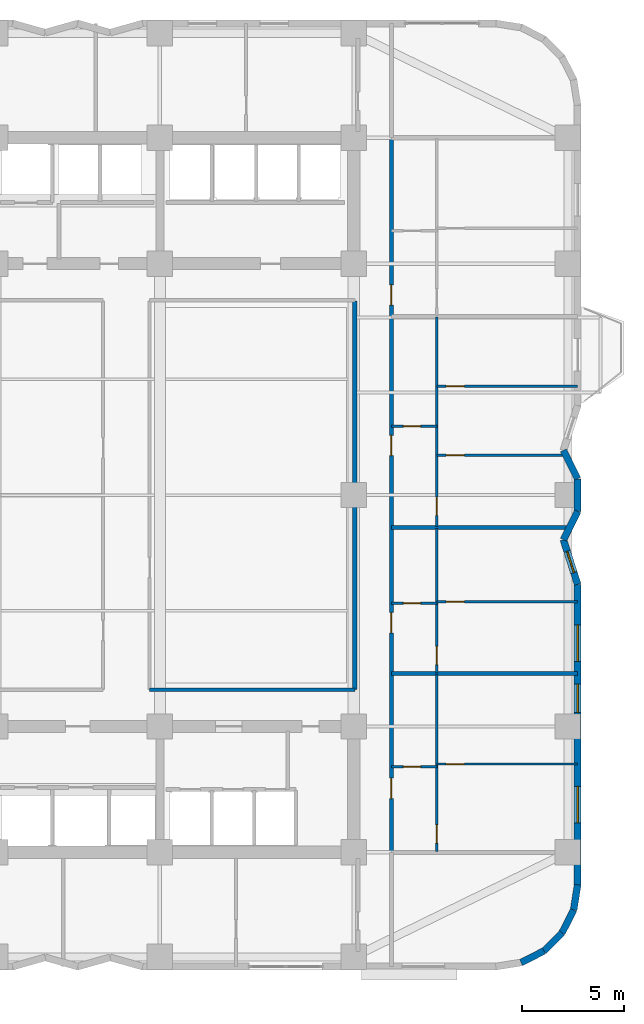
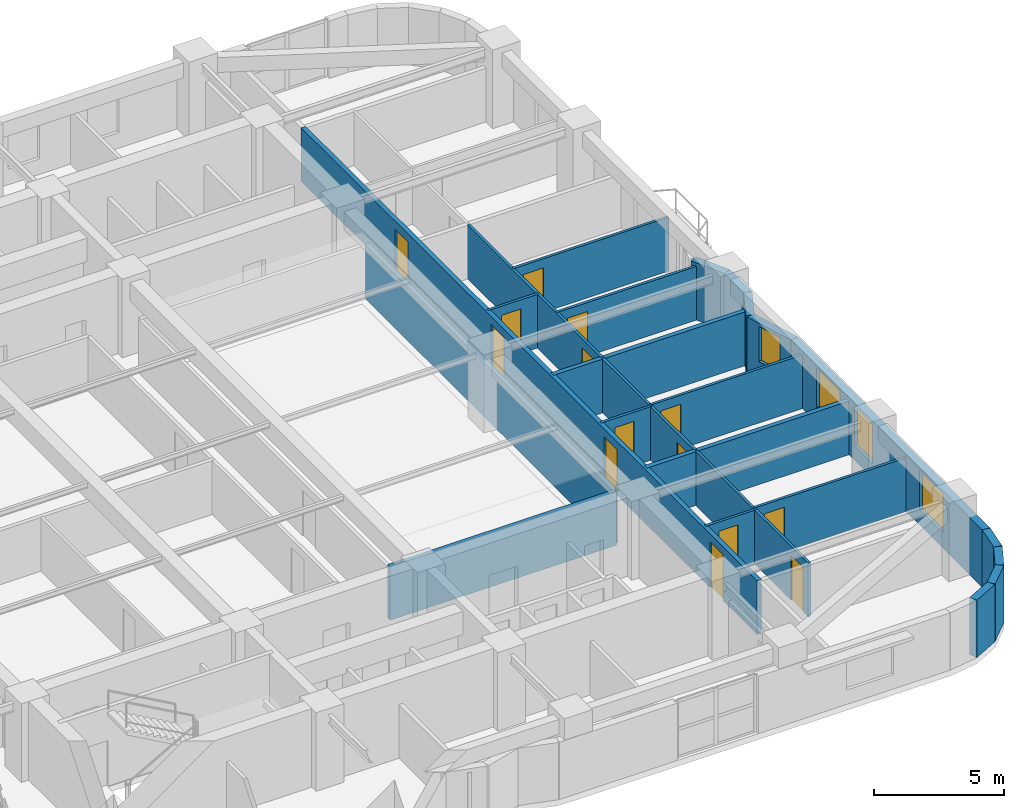
# One storey, part 8 of 13: 24 walls, 14 doors, 4 windows, 18 openings.
"""IFC4 building model written with IfcOpenShell, lengths in metres."""

from ifc_helpers import new_model, si_unit, direction, frame, frame_2d, origin, place, context, subcontext, project, spatial, rectangle, extrude, material, layer, layer_set, type_object, element, fill, save


model = new_model("IFC4")

# Units and contexts
model_context = context("Model", 3, precision=1e-05, world=origin(), true_north=direction((0.0, 1.0)))
body_context = subcontext(model_context, "Body", "Model", "MODEL_VIEW")
ifc_project = project(units=[si_unit("LENGTHUNIT", "METRE"), si_unit("AREAUNIT", "SQUARE_METRE"), si_unit("VOLUMEUNIT", "CUBIC_METRE"), si_unit("PLANEANGLEUNIT", "RADIAN"), si_unit("MASSUNIT", "GRAM", prefix="KILO")], contexts=[model_context])

# Site, building, storey
site_placement = place(None, origin())
site = spatial("IfcSite", under=ifc_project, at=site_placement, CompositionType="ELEMENT")
building_placement = place(site_placement, origin())
building = spatial("IfcBuilding", under=site, at=building_placement, Name="Svetorya Sky Lyceum", CompositionType="ELEMENT")
storey_placement = place(building_placement, frame((0.0, 0.0, 58.39990234375)))
storey = spatial("IfcBuildingStorey", under=building, at=storey_placement, Name="L14", CompositionType="ELEMENT", Elevation=58.39990234375)

# Walls
ifc_material_1 = material(Name="Putilovo limestone rainscreen on autoclaved cellular masonry", Category="masonry")
ifc_layer_1 = layer(ifc_material_1, 0.340087890625)
ifc_layer_set_1 = layer_set([ifc_layer_1], Name="Putilovo limestone rainscreen on autoclaved cellular masonry")
wall_type_1 = type_object("IfcWallType", Name="WL-EXT-340", PredefinedType="SOLIDWALL", material=ifc_layer_set_1)
for number, where, z_axis, x_axis, name in (
    (1, (61.04541015625, 5.167236328125, 0.0), (0.0, 0.0, 1.0), (0.890953769915, 0.454094020963, 0.0), "L14 Limestone Exterior Wall 13M"),
    (2, (62.168701171875, 5.73974609375, 0.0), (0.0, 0.0, 1.0), (0.707203598708, 0.707009950407, 0.0), "L14 Limestone Exterior Wall 14M"),
):
    element("IfcWall", number, at=place(storey_placement, frame(where, z_axis=z_axis, x_axis=x_axis)), inside=storey, type_object=wall_type_1, Name=name, PredefinedType="SOLIDWALL", context=body_context, shape_type="SweptSolid", body=[
        extrude(rectangle(XDim=1.2607421875, YDim=0.340087890625, at=frame_2d((0.63037109375, 0.0))), origin(), (0.0, 0.0, 1.0), 2.7001953125),
    ])
for number, where, z_axis, x_axis, name in (
    (3, (63.060302734375, 6.631103515625, 0.0), (0.0, 0.0, 1.0), (0.454015689056, 0.890993689142, 0.0), "L14 Limestone Exterior Wall 15M"),
    (4, (63.6328125, 7.754638671875, 0.0), (0.0, 0.0, 1.0), (0.15644975923, 0.987685918112, 0.0), "L14 Limestone Exterior Wall 16M"),
):
    element("IfcWall", number, at=place(storey_placement, frame(where, z_axis=z_axis, x_axis=x_axis)), inside=storey, type_object=wall_type_1, Name=name, PredefinedType="SOLIDWALL", context=body_context, shape_type="SweptSolid", body=[
        extrude(rectangle(XDim=1.260986328125, YDim=0.340087890625, at=frame_2d((0.63037109375, 0.0))), origin(), (0.0, 0.0, 1.0), 2.7001953125),
    ])

# Wall, openings, windows
wall_1_placement = place(storey_placement, frame((63.830078125, 9.0, 0.0), z_axis=(0.0, 0.0, 1.0), x_axis=(0.0, 1.0, 0.0)))
wall_1 = element("IfcWall", 5, at=wall_1_placement, inside=storey, type_object=wall_type_1, Name="L14 Limestone Exterior Wall 17M", PredefinedType="SOLIDWALL", context=body_context, shape_type="SweptSolid", body=[
    extrude(rectangle(XDim=14.800048828125, YDim=0.340087890625, at=frame_2d((7.39990234375, 0.0))), origin(), (0.0, 0.0, 1.0), 2.7001953125),
])
opening_1_placement = place(wall_1_placement, frame((3.050048828125, 0.0, 0.72998046875)))
opening_1 = element("IfcOpeningElement", 6, at=opening_1_placement, cuts=wall_1, Name="Opening W-R1", PredefinedType="OPENING", context=body_context, shape_type="SweptSolid", body=[
    extrude(rectangle(XDim=1.800048828125, YDim=1.85009765625, at=frame_2d((0.89990234375, 0.925048828125))), frame((0.0, 0.179931640625, 0.0), z_axis=(0.0, -1.0, 0.0), x_axis=(1.0, 0.0, 0.0)), (0.0, 0.0, 1.0), 0.360107421875),
])
opening_2_placement = place(wall_1_placement, frame((8.47998046875, 0.0, 0.68994140625)))
opening_2 = element("IfcOpeningElement", 7, at=opening_2_placement, cuts=wall_1, Name="Opening W-R2", PredefinedType="OPENING", context=body_context, shape_type="SweptSolid", body=[
    extrude(rectangle(XDim=1.39990234375, YDim=1.85009765625, at=frame_2d((0.699951171875, 0.925048828125))), frame((0.0, 0.179931640625, 0.0), z_axis=(0.0, -1.0, 0.0), x_axis=(1.0, 0.0, 0.0)), (0.0, 0.0, 1.0), 0.360107421875),
])
opening_3_placement = place(wall_1_placement, frame((11.0, 0.0, 0.72998046875)))
opening_3 = element("IfcOpeningElement", 8, at=opening_3_placement, cuts=wall_1, Name="Opening W-R1", PredefinedType="OPENING", context=body_context, shape_type="SweptSolid", body=[
    extrude(rectangle(XDim=1.800048828125, YDim=1.85009765625, at=frame_2d((0.89990234375, 0.925048828125))), frame((0.0, 0.179931640625, 0.0), z_axis=(0.0, -1.0, 0.0), x_axis=(1.0, 0.0, 0.0)), (0.0, 0.0, 1.0), 0.360107421875),
])
ifc_material_2 = material(Name="Thermally broken aluminium frame with triple low-E glazing", Category="aluminium")
window_type_1 = type_object("IfcWindowType", Name="WN-RES-140", PartitioningType="SINGLE_PANEL", PredefinedType="WINDOW", material=ifc_material_2)
window_1_placement = place(opening_2_placement, origin())
window_1 = element("IfcWindow", 9, at=window_1_placement, inside=storey, type_object=window_type_1, Name="L14 Facade Window W-R2.17M.3", OverallHeight=1.85009765625, OverallWidth=1.39990234375, PartitioningType="SINGLE_PANEL", PredefinedType="WINDOW", context=body_context, shape_type="SweptSolid", body=[
    extrude(rectangle(XDim=1.39990234375, YDim=1.85009765625, at=frame_2d((0.699951171875, 0.925048828125))), frame((0.0, 0.030029296875, 0.0), z_axis=(0.0, -1.0, 0.0), x_axis=(1.0, 0.0, 0.0)), (0.0, 0.0, 1.0), 0.06005859375),
])
fill(opening_2, window_1)
window_type_2 = type_object("IfcWindowType", Name="WN-RES-180", PartitioningType="DOUBLE_PANEL_VERTICAL", PredefinedType="WINDOW", material=ifc_material_2)
window_2_placement = place(opening_1_placement, origin())
window_2 = element("IfcWindow", 10, at=window_2_placement, inside=storey, type_object=window_type_2, Name="L14 Facade Window W-R1.17M.1", OverallHeight=1.85009765625, OverallWidth=1.800048828125, PartitioningType="SINGLE_PANEL", PredefinedType="WINDOW", context=body_context, shape_type="SweptSolid", body=[
    extrude(rectangle(XDim=1.800048828125, YDim=1.85009765625, at=frame_2d((0.89990234375, 0.925048828125))), frame((0.0, 0.030029296875, 0.0), z_axis=(0.0, -1.0, 0.0), x_axis=(1.0, 0.0, 0.0)), (0.0, 0.0, 1.0), 0.06005859375),
])
fill(opening_1, window_2)
window_3_placement = place(opening_3_placement, origin())
window_3 = element("IfcWindow", 11, at=window_3_placement, inside=storey, type_object=window_type_2, Name="L14 Facade Window W-R1.17M.2", OverallHeight=1.85009765625, OverallWidth=1.800048828125, PartitioningType="SINGLE_PANEL", PredefinedType="WINDOW", context=body_context, shape_type="SweptSolid", body=[
    extrude(rectangle(XDim=1.800048828125, YDim=1.85009765625, at=frame_2d((0.89990234375, 0.925048828125))), frame((0.0, 0.030029296875, 0.0), z_axis=(0.0, -1.0, 0.0), x_axis=(1.0, 0.0, 0.0)), (0.0, 0.0, 1.0), 0.06005859375),
])
fill(opening_3, window_3)

# Wall, opening, window
wall_2_placement = place(storey_placement, frame((63.830078125, 23.800048828125, 0.0), z_axis=(0.0, 0.0, 1.0), x_axis=(-0.303286588318, 0.95289938889, 0.0)))
wall_2 = element("IfcWall", 12, at=wall_2_placement, inside=storey, type_object=wall_type_1, Name="L14 Limestone Exterior Wall 18M", PredefinedType="SOLIDWALL", context=body_context, shape_type="SweptSolid", body=[
    extrude(rectangle(XDim=2.30859375, YDim=0.340087890625, at=frame_2d((1.154296875, 0.0))), origin(), (0.0, 0.0, 1.0), 2.7001953125),
])
opening_4_placement = place(wall_2_placement, frame((0.604248046875, 0.0, 0.889892578125)))
opening_4 = element("IfcOpeningElement", 13, at=opening_4_placement, cuts=wall_2, Name="Opening W-R3", PredefinedType="OPENING", context=body_context, shape_type="SweptSolid", body=[
    extrude(rectangle(XDim=1.10009765625, YDim=1.64990234375, at=frame_2d((0.550048828125, 0.824951171875))), frame((0.0, 0.179931640625, 0.0), z_axis=(0.0, -1.0, 0.0), x_axis=(1.0, 0.0, 0.0)), (0.0, 0.0, 1.0), 0.360107421875),
])
window_type_3 = type_object("IfcWindowType", Name="WN-RES-110", PartitioningType="SINGLE_PANEL", PredefinedType="WINDOW", material=ifc_material_2)
window_4_placement = place(opening_4_placement, origin())
window_4 = element("IfcWindow", 14, at=window_4_placement, inside=storey, type_object=window_type_3, Name="L14 Facade Window W-R3.18M.1", OverallHeight=1.64990234375, OverallWidth=1.10009765625, PartitioningType="SINGLE_PANEL", PredefinedType="WINDOW", context=body_context, shape_type="SweptSolid", body=[
    extrude(rectangle(XDim=1.10009765625, YDim=1.64990234375, at=frame_2d((0.550048828125, 0.824951171875))), frame((0.0, 0.030029296875, 0.0), z_axis=(0.0, -1.0, 0.0), x_axis=(1.0, 0.0, 0.0)), (0.0, 0.0, 1.0), 0.06005859375),
])
fill(opening_4, window_4)

# Walls
wall_3_placement = place(storey_placement, frame((63.1298828125, 26.0, 0.0), z_axis=(0.0, 0.0, 1.0), x_axis=(0.447338371726, 0.894364792007, 0.0)))
element("IfcWall", 15, at=wall_3_placement, inside=storey, type_object=wall_type_1, Name="L14 Limestone Exterior Wall 19M", PredefinedType="SOLIDWALL", context=body_context, shape_type="SweptSolid", body=[
    extrude(rectangle(XDim=1.565185546875, YDim=0.340087890625, at=frame_2d((0.78271484375, 0.0))), origin(), (0.0, 0.0, 1.0), 2.7001953125),
])
wall_4_placement = place(storey_placement, frame((63.830078125, 27.39990234375, 0.0), z_axis=(0.0, 0.0, 1.0), x_axis=(0.0, 1.0, 0.0)))
element("IfcWall", 16, at=wall_4_placement, inside=storey, type_object=wall_type_1, Name="L14 Limestone Exterior Wall 20M", PredefinedType="SOLIDWALL", context=body_context, shape_type="SweptSolid", body=[
    extrude(rectangle(XDim=1.60009765625, YDim=0.340087890625, at=frame_2d((0.800048828125, 0.0))), origin(), (0.0, 0.0, 1.0), 2.7001953125),
])
wall_5_placement = place(storey_placement, frame((63.830078125, 29.0, 0.0), z_axis=(0.0, 0.0, 1.0), x_axis=(-0.447338371726, 0.894364792007, 0.0)))
element("IfcWall", 17, at=wall_5_placement, inside=storey, type_object=wall_type_1, Name="L14 Limestone Exterior Wall 21M", PredefinedType="SOLIDWALL", context=body_context, shape_type="SweptSolid", body=[
    extrude(rectangle(XDim=1.565185546875, YDim=0.340087890625, at=frame_2d((0.78271484375, 0.0))), origin(), (0.0, 0.0, 1.0), 2.7001953125),
])

# Wall, opening, door
ifc_material_3 = material(Name="Twin-stud galvanized framing with double fireboard", Category="gypsum")
ifc_layer_2 = layer(ifc_material_3, 0.1201171875)
ifc_layer_set_2 = layer_set([ifc_layer_2], Name="Twin-stud galvanized framing with double fireboard")
wall_type_2 = type_object("IfcWallType", Name="WL-PART-120", PredefinedType="PARTITIONING", material=ifc_layer_set_2)
wall_6_placement = place(storey_placement, frame((54.64990234375, 14.820068359375, 0.0), z_axis=(0.0, 0.0, 1.0), x_axis=(1.0, 0.0, 0.0)))
wall_6 = element("IfcWall", 18, at=wall_6_placement, inside=storey, type_object=wall_type_2, Name="L14 Interior Partition E1-WH1", PredefinedType="PARTITIONING", context=body_context, shape_type="SweptSolid", body=[
    extrude(rectangle(XDim=2.25, YDim=0.1201171875, at=frame_2d((1.125, 0.0))), origin(), (0.0, 0.0, 1.0), 2.530029296875),
])
opening_5_placement = place(wall_6_placement, frame((0.60009765625, 0.0, 0.0)))
opening_5 = element("IfcOpeningElement", 19, at=opening_5_placement, cuts=wall_6, Name="Opening D-BT1", PredefinedType="OPENING", context=body_context, shape_type="SweptSolid", body=[
    extrude(rectangle(XDim=0.85009765625, YDim=2.10009765625, at=frame_2d((0.425048828125, 1.050048828125))), frame((0.0, 0.070068359375, 0.0), z_axis=(0.0, -1.0, 0.0), x_axis=(1.0, 0.0, 0.0)), (0.0, 0.0, 1.0), 0.14013671875),
])
ifc_material_4 = material(Name="Moisture-resistant laminate bathroom door")
door_type_1 = type_object("IfcDoorType", Name="DR-WET-850", OperationType="SINGLE_SWING_LEFT", PredefinedType="DOOR", material=ifc_material_4)
door_1_placement = place(opening_5_placement, origin())
door_1 = element("IfcDoor", 20, at=door_1_placement, inside=storey, type_object=door_type_1, Name="Apartment E1 Bathroom Door", OperationType="SINGLE_SWING_RIGHT", OverallHeight=2.10009765625, OverallWidth=0.85009765625, PredefinedType="DOOR", context=body_context, shape_type="SweptSolid", body=[
    extrude(rectangle(XDim=0.85009765625, YDim=2.10009765625, at=frame_2d((0.425048828125, 1.050048828125))), frame((0.0, 0.02490234375, 0.0), z_axis=(0.0, -1.0, 0.0), x_axis=(1.0, 0.0, 0.0)), (0.0, 0.0, 1.0), 0.050048828125),
])
fill(opening_5, door_1)

wall_7_placement = place(storey_placement, frame((56.89990234375, 14.949951171875, 0.0), z_axis=(0.0, 0.0, 1.0), x_axis=(1.0, 0.0, 0.0)))
wall_7 = element("IfcWall", 21, at=wall_7_placement, inside=storey, type_object=wall_type_2, Name="L14 Interior Partition E1-WL1", PredefinedType="PARTITIONING", context=body_context, shape_type="SweptSolid", body=[
    extrude(rectangle(XDim=6.93017578125, YDim=0.1201171875, at=frame_2d((3.465087890625, 0.0))), origin(), (0.0, 0.0, 1.0), 2.530029296875),
])
opening_6_placement = place(wall_7_placement, frame((0.449951171875, 0.0, 0.0)))
opening_6 = element("IfcOpeningElement", 22, at=opening_6_placement, cuts=wall_7, Name="Opening D-RM1", PredefinedType="OPENING", context=body_context, shape_type="SweptSolid", body=[
    extrude(rectangle(XDim=0.89990234375, YDim=2.10009765625, at=frame_2d((0.449951171875, 1.050048828125))), frame((0.0, 0.070068359375, 0.0), z_axis=(0.0, -1.0, 0.0), x_axis=(1.0, 0.0, 0.0)), (0.0, 0.0, 1.0), 0.14013671875),
])
ifc_material_5 = material(Name="Lacquered birch veneer internal door")
door_type_2 = type_object("IfcDoorType", Name="DR-INT-900", OperationType="SINGLE_SWING_LEFT", PredefinedType="DOOR", material=ifc_material_5)
door_2_placement = place(opening_6_placement, origin())
door_2 = element("IfcDoor", 23, at=door_2_placement, inside=storey, type_object=door_type_2, Name="Apartment E1 Bedroom 1 Door", OperationType="SINGLE_SWING_RIGHT", OverallHeight=2.10009765625, OverallWidth=0.89990234375, PredefinedType="DOOR", context=body_context, shape_type="SweptSolid", body=[
    extrude(rectangle(XDim=0.89990234375, YDim=2.10009765625, at=frame_2d((0.449951171875, 1.050048828125))), frame((0.0, 0.02490234375, 0.0), z_axis=(0.0, -1.0, 0.0), x_axis=(1.0, 0.0, 0.0)), (0.0, 0.0, 1.0), 0.050048828125),
])
fill(opening_6, door_2)

wall_8_placement = place(storey_placement, frame((56.89990234375, 10.639892578125, 0.0), z_axis=(0.0, 0.0, 1.0), x_axis=(0.0, 1.0, 0.0)))
wall_8 = element("IfcWall", 24, at=wall_8_placement, inside=storey, type_object=wall_type_2, Name="L14 Interior Partition E1-WV", PredefinedType="PARTITIONING", context=body_context, shape_type="SweptSolid", body=[
    extrude(rectangle(XDim=8.72021484375, YDim=0.1201171875, at=frame_2d((4.360107421875, 0.0))), origin(), (0.0, 0.0, 1.0), 2.530029296875),
])
opening_7_placement = place(wall_8_placement, frame((0.409912109375, 0.0, 0.0)))
opening_7 = element("IfcOpeningElement", 25, at=opening_7_placement, cuts=wall_8, Name="Opening D-RM1", PredefinedType="OPENING", context=body_context, shape_type="SweptSolid", body=[
    extrude(rectangle(XDim=0.89990234375, YDim=2.10009765625, at=frame_2d((0.449951171875, 1.050048828125))), frame((0.0, 0.070068359375, 0.0), z_axis=(0.0, -1.0, 0.0), x_axis=(1.0, 0.0, 0.0)), (0.0, 0.0, 1.0), 0.14013671875),
])
door_3_placement = place(opening_7_placement, origin())
door_3 = element("IfcDoor", 26, at=door_3_placement, inside=storey, type_object=door_type_2, Name="Apartment E1 Living Door", OperationType="SINGLE_SWING_LEFT", OverallHeight=2.10009765625, OverallWidth=0.89990234375, PredefinedType="DOOR", context=body_context, shape_type="SweptSolid", body=[
    extrude(rectangle(XDim=0.89990234375, YDim=2.10009765625, at=frame_2d((0.449951171875, 1.050048828125))), frame((0.0, 0.02490234375, 0.0), z_axis=(0.0, -1.0, 0.0), x_axis=(1.0, 0.0, 0.0)), (0.0, 0.0, 1.0), 0.050048828125),
])
fill(opening_7, door_3)

wall_9_placement = place(storey_placement, frame((54.64990234375, 22.860107421875, 0.0), z_axis=(0.0, 0.0, 1.0), x_axis=(1.0, 0.0, 0.0)))
wall_9 = element("IfcWall", 27, at=wall_9_placement, inside=storey, type_object=wall_type_2, Name="L14 Interior Partition E2-WH1", PredefinedType="PARTITIONING", context=body_context, shape_type="SweptSolid", body=[
    extrude(rectangle(XDim=2.25, YDim=0.1201171875, at=frame_2d((1.125, 0.0))), origin(), (0.0, 0.0, 1.0), 2.530029296875),
])
opening_8_placement = place(wall_9_placement, frame((0.60009765625, 0.0, 0.0)))
opening_8 = element("IfcOpeningElement", 28, at=opening_8_placement, cuts=wall_9, Name="Opening D-BT1", PredefinedType="OPENING", context=body_context, shape_type="SweptSolid", body=[
    extrude(rectangle(XDim=0.85009765625, YDim=2.10009765625, at=frame_2d((0.425048828125, 1.050048828125))), frame((0.0, 0.070068359375, 0.0), z_axis=(0.0, -1.0, 0.0), x_axis=(1.0, 0.0, 0.0)), (0.0, 0.0, 1.0), 0.14013671875),
])
door_4_placement = place(opening_8_placement, origin())
door_4 = element("IfcDoor", 29, at=door_4_placement, inside=storey, type_object=door_type_1, Name="Apartment E2 Bathroom Door", OperationType="SINGLE_SWING_LEFT", OverallHeight=2.10009765625, OverallWidth=0.85009765625, PredefinedType="DOOR", context=body_context, shape_type="SweptSolid", body=[
    extrude(rectangle(XDim=0.85009765625, YDim=2.10009765625, at=frame_2d((0.425048828125, 1.050048828125))), frame((0.0, 0.02490234375, 0.0), z_axis=(0.0, -1.0, 0.0), x_axis=(1.0, 0.0, 0.0)), (0.0, 0.0, 1.0), 0.050048828125),
])
fill(opening_8, door_4)

wall_10_placement = place(storey_placement, frame((56.89990234375, 22.949951171875, 0.0), z_axis=(0.0, 0.0, 1.0), x_axis=(1.0, 0.0, 0.0)))
wall_10 = element("IfcWall", 30, at=wall_10_placement, inside=storey, type_object=wall_type_2, Name="L14 Interior Partition E2-WL1", PredefinedType="PARTITIONING", context=body_context, shape_type="SweptSolid", body=[
    extrude(rectangle(XDim=6.93017578125, YDim=0.1201171875, at=frame_2d((3.465087890625, 0.0))), origin(), (0.0, 0.0, 1.0), 2.530029296875),
])
opening_9_placement = place(wall_10_placement, frame((0.449951171875, 0.0, 0.0)))
opening_9 = element("IfcOpeningElement", 31, at=opening_9_placement, cuts=wall_10, Name="Opening D-RM1", PredefinedType="OPENING", context=body_context, shape_type="SweptSolid", body=[
    extrude(rectangle(XDim=0.89990234375, YDim=2.10009765625, at=frame_2d((0.449951171875, 1.050048828125))), frame((0.0, 0.070068359375, 0.0), z_axis=(0.0, -1.0, 0.0), x_axis=(1.0, 0.0, 0.0)), (0.0, 0.0, 1.0), 0.14013671875),
])
door_5_placement = place(opening_9_placement, origin())
door_5 = element("IfcDoor", 32, at=door_5_placement, inside=storey, type_object=door_type_2, Name="Apartment E2 Bedroom 1 Door", OperationType="SINGLE_SWING_LEFT", OverallHeight=2.10009765625, OverallWidth=0.89990234375, PredefinedType="DOOR", context=body_context, shape_type="SweptSolid", body=[
    extrude(rectangle(XDim=0.89990234375, YDim=2.10009765625, at=frame_2d((0.449951171875, 1.050048828125))), frame((0.0, 0.02490234375, 0.0), z_axis=(0.0, -1.0, 0.0), x_axis=(1.0, 0.0, 0.0)), (0.0, 0.0, 1.0), 0.050048828125),
])
fill(opening_9, door_5)

wall_11_placement = place(storey_placement, frame((56.89990234375, 19.43994140625, 0.0), z_axis=(0.0, 0.0, 1.0), x_axis=(0.0, 1.0, 0.0)))
wall_11 = element("IfcWall", 33, at=wall_11_placement, inside=storey, type_object=wall_type_2, Name="L14 Interior Partition E2-WV", PredefinedType="PARTITIONING", context=body_context, shape_type="SweptSolid", body=[
    extrude(rectangle(XDim=7.1201171875, YDim=0.1201171875, at=frame_2d((3.56005859375, 0.0))), origin(), (0.0, 0.0, 1.0), 2.530029296875),
])
opening_10_placement = place(wall_11_placement, frame((0.409912109375, 0.0, 0.0)))
opening_10 = element("IfcOpeningElement", 34, at=opening_10_placement, cuts=wall_11, Name="Opening D-RM1", PredefinedType="OPENING", context=body_context, shape_type="SweptSolid", body=[
    extrude(rectangle(XDim=0.89990234375, YDim=2.10009765625, at=frame_2d((0.449951171875, 1.050048828125))), frame((0.0, 0.070068359375, 0.0), z_axis=(0.0, -1.0, 0.0), x_axis=(1.0, 0.0, 0.0)), (0.0, 0.0, 1.0), 0.14013671875),
])
door_6_placement = place(opening_10_placement, origin())
door_6 = element("IfcDoor", 35, at=door_6_placement, inside=storey, type_object=door_type_2, Name="Apartment E2 Living Door", OperationType="SINGLE_SWING_RIGHT", OverallHeight=2.10009765625, OverallWidth=0.89990234375, PredefinedType="DOOR", context=body_context, shape_type="SweptSolid", body=[
    extrude(rectangle(XDim=0.89990234375, YDim=2.10009765625, at=frame_2d((0.449951171875, 1.050048828125))), frame((0.0, 0.02490234375, 0.0), z_axis=(0.0, -1.0, 0.0), x_axis=(1.0, 0.0, 0.0)), (0.0, 0.0, 1.0), 0.050048828125),
])
fill(opening_10, door_6)

wall_12_placement = place(storey_placement, frame((54.64990234375, 31.590087890625, 0.0), z_axis=(0.0, 0.0, 1.0), x_axis=(1.0, 0.0, 0.0)))
wall_12 = element("IfcWall", 36, at=wall_12_placement, inside=storey, type_object=wall_type_2, Name="L14 Interior Partition E3-WH1", PredefinedType="PARTITIONING", context=body_context, shape_type="SweptSolid", body=[
    extrude(rectangle(XDim=2.25, YDim=0.1201171875, at=frame_2d((1.125, 0.0))), origin(), (0.0, 0.0, 1.0), 2.530029296875),
])
opening_11_placement = place(wall_12_placement, frame((0.60009765625, 0.0, 0.0)))
opening_11 = element("IfcOpeningElement", 37, at=opening_11_placement, cuts=wall_12, Name="Opening D-BT1", PredefinedType="OPENING", context=body_context, shape_type="SweptSolid", body=[
    extrude(rectangle(XDim=0.85009765625, YDim=2.10009765625, at=frame_2d((0.425048828125, 1.050048828125))), frame((0.0, 0.070068359375, 0.0), z_axis=(0.0, -1.0, 0.0), x_axis=(1.0, 0.0, 0.0)), (0.0, 0.0, 1.0), 0.14013671875),
])
door_7_placement = place(opening_11_placement, origin())
door_7 = element("IfcDoor", 38, at=door_7_placement, inside=storey, type_object=door_type_1, Name="Apartment E3 Bathroom Door", OperationType="SINGLE_SWING_RIGHT", OverallHeight=2.10009765625, OverallWidth=0.85009765625, PredefinedType="DOOR", context=body_context, shape_type="SweptSolid", body=[
    extrude(rectangle(XDim=0.85009765625, YDim=2.10009765625, at=frame_2d((0.425048828125, 1.050048828125))), frame((0.0, 0.02490234375, 0.0), z_axis=(0.0, -1.0, 0.0), x_axis=(1.0, 0.0, 0.0)), (0.0, 0.0, 1.0), 0.050048828125),
])
fill(opening_11, door_7)

wall_13_placement = place(storey_placement, frame((56.89990234375, 30.14990234375, 0.0), z_axis=(0.0, 0.0, 1.0), x_axis=(1.0, 0.0, 0.0)))
wall_13 = element("IfcWall", 39, at=wall_13_placement, inside=storey, type_object=wall_type_2, Name="L14 Interior Partition E3-WL1", PredefinedType="PARTITIONING", context=body_context, shape_type="SweptSolid", body=[
    extrude(rectangle(XDim=6.35498046875, YDim=0.1201171875, at=frame_2d((3.177490234375, 0.0))), origin(), (0.0, 0.0, 1.0), 2.530029296875),
])
opening_12_placement = place(wall_13_placement, frame((0.449951171875, 0.0, 0.0)))
opening_12 = element("IfcOpeningElement", 40, at=opening_12_placement, cuts=wall_13, Name="Opening D-RM1", PredefinedType="OPENING", context=body_context, shape_type="SweptSolid", body=[
    extrude(rectangle(XDim=0.89990234375, YDim=2.10009765625, at=frame_2d((0.449951171875, 1.050048828125))), frame((0.0, 0.070068359375, 0.0), z_axis=(0.0, -1.0, 0.0), x_axis=(1.0, 0.0, 0.0)), (0.0, 0.0, 1.0), 0.14013671875),
])
door_8_placement = place(opening_12_placement, origin())
door_8 = element("IfcDoor", 41, at=door_8_placement, inside=storey, type_object=door_type_2, Name="Apartment E3 Master Bedroom Door", OperationType="SINGLE_SWING_RIGHT", OverallHeight=2.10009765625, OverallWidth=0.89990234375, PredefinedType="DOOR", context=body_context, shape_type="SweptSolid", body=[
    extrude(rectangle(XDim=0.89990234375, YDim=2.10009765625, at=frame_2d((0.449951171875, 1.050048828125))), frame((0.0, 0.02490234375, 0.0), z_axis=(0.0, -1.0, 0.0), x_axis=(1.0, 0.0, 0.0)), (0.0, 0.0, 1.0), 0.050048828125),
])
fill(opening_12, door_8)

wall_14_placement = place(storey_placement, frame((56.89990234375, 33.550048828125, 0.0), z_axis=(0.0, 0.0, 1.0), x_axis=(1.0, 0.0, 0.0)))
wall_14 = element("IfcWall", 42, at=wall_14_placement, inside=storey, type_object=wall_type_2, Name="L14 Interior Partition E3-WL2", PredefinedType="PARTITIONING", context=body_context, shape_type="SweptSolid", body=[
    extrude(rectangle(XDim=6.93017578125, YDim=0.1201171875, at=frame_2d((3.465087890625, 0.0))), origin(), (0.0, 0.0, 1.0), 2.530029296875),
])
opening_13_placement = place(wall_14_placement, frame((0.449951171875, 0.0, 0.0)))
opening_13 = element("IfcOpeningElement", 43, at=opening_13_placement, cuts=wall_14, Name="Opening D-RM1", PredefinedType="OPENING", context=body_context, shape_type="SweptSolid", body=[
    extrude(rectangle(XDim=0.89990234375, YDim=2.10009765625, at=frame_2d((0.449951171875, 1.050048828125))), frame((0.0, 0.070068359375, 0.0), z_axis=(0.0, -1.0, 0.0), x_axis=(1.0, 0.0, 0.0)), (0.0, 0.0, 1.0), 0.14013671875),
])
door_9_placement = place(opening_13_placement, origin())
door_9 = element("IfcDoor", 44, at=door_9_placement, inside=storey, type_object=door_type_2, Name="Apartment E3 Bedroom 2 Door", OperationType="SINGLE_SWING_LEFT", OverallHeight=2.10009765625, OverallWidth=0.89990234375, PredefinedType="DOOR", context=body_context, shape_type="SweptSolid", body=[
    extrude(rectangle(XDim=0.89990234375, YDim=2.10009765625, at=frame_2d((0.449951171875, 1.050048828125))), frame((0.0, 0.02490234375, 0.0), z_axis=(0.0, -1.0, 0.0), x_axis=(1.0, 0.0, 0.0)), (0.0, 0.0, 1.0), 0.050048828125),
])
fill(opening_13, door_9)

wall_15_placement = place(storey_placement, frame((56.89990234375, 26.639892578125, 0.0), z_axis=(0.0, 0.0, 1.0), x_axis=(0.0, 1.0, 0.0)))
wall_15 = element("IfcWall", 45, at=wall_15_placement, inside=storey, type_object=wall_type_2, Name="L14 Interior Partition E3-WV", PredefinedType="PARTITIONING", context=body_context, shape_type="SweptSolid", body=[
    extrude(rectangle(XDim=10.320068359375, YDim=0.1201171875, at=frame_2d((5.16015625, 0.0))), origin(), (0.0, 0.0, 1.0), 2.530029296875),
])
opening_14_placement = place(wall_15_placement, frame((0.56005859375, 0.0, 0.0)))
opening_14 = element("IfcOpeningElement", 46, at=opening_14_placement, cuts=wall_15, Name="Opening D-RM1", PredefinedType="OPENING", context=body_context, shape_type="SweptSolid", body=[
    extrude(rectangle(XDim=0.89990234375, YDim=2.10009765625, at=frame_2d((0.449951171875, 1.050048828125))), frame((0.0, 0.070068359375, 0.0), z_axis=(0.0, -1.0, 0.0), x_axis=(1.0, 0.0, 0.0)), (0.0, 0.0, 1.0), 0.14013671875),
])
door_10_placement = place(opening_14_placement, origin())
door_10 = element("IfcDoor", 47, at=door_10_placement, inside=storey, type_object=door_type_2, Name="Apartment E3 Living Door", OperationType="SINGLE_SWING_LEFT", OverallHeight=2.10009765625, OverallWidth=0.89990234375, PredefinedType="DOOR", context=body_context, shape_type="SweptSolid", body=[
    extrude(rectangle(XDim=0.89990234375, YDim=2.10009765625, at=frame_2d((0.449951171875, 1.050048828125))), frame((0.0, 0.02490234375, 0.0), z_axis=(0.0, -1.0, 0.0), x_axis=(1.0, 0.0, 0.0)), (0.0, 0.0, 1.0), 0.050048828125),
])
fill(opening_14, door_10)

# Walls
ifc_material_6 = material(Name="Autoclaved cellular masonry blockwork with fire render", Category="masonry")
ifc_layer_3 = layer(ifc_material_6, 0.175048828125)
ifc_layer_set_3 = layer_set([ifc_layer_3], Name="Autoclaved cellular masonry blockwork with fire render")
wall_type_3 = type_object("IfcWallType", Name="WL-PART-175", PredefinedType="PARTITIONING", material=ifc_layer_set_3)
wall_16_placement = place(storey_placement, frame((42.75, 18.60009765625, 0.0), z_axis=(0.0, 0.0, 1.0), x_axis=(1.0, 0.0, 0.0)))
element("IfcWall", 48, at=wall_16_placement, inside=storey, type_object=wall_type_3, Name="L14 Interior Partition CS-MID-E", PredefinedType="PARTITIONING", context=body_context, shape_type="SweptSolid", body=[
    extrude(rectangle(XDim=10.10009765625, YDim=0.175048828125, at=frame_2d((5.050048828125, 0.0))), origin(), (0.0, 0.0, 1.0), 2.530029296875),
])
ifc_material_7 = material(Name="Autoclaved cellular masonry blockwork with gypsum plaster", Category="masonry")
ifc_layer_4 = layer(ifc_material_7, 0.199951171875)
ifc_layer_set_4 = layer_set([ifc_layer_4], Name="Autoclaved cellular masonry blockwork with gypsum plaster")
wall_type_4 = type_object("IfcWallType", Name="WL-PART-200", PredefinedType="PARTITIONING", material=ifc_layer_set_4)
wall_17_placement = place(storey_placement, frame((52.85009765625, 18.6298828125, 0.0), z_axis=(0.0, 0.0, 1.0), x_axis=(0.0, 1.0, 0.0)))
element("IfcWall", 49, at=wall_17_placement, inside=storey, type_object=wall_type_4, Name="L14 Interior Partition E-CEN-SEP", PredefinedType="PARTITIONING", context=body_context, shape_type="SweptSolid", body=[
    extrude(rectangle(XDim=19.14013671875, YDim=0.199951171875, at=frame_2d((9.570068359375, 0.0))), origin(), (0.0, 0.0, 1.0), 2.530029296875),
])
wall_18_placement = place(storey_placement, frame((54.64990234375, 19.39990234375, 0.0), z_axis=(0.0, 0.0, 1.0), x_axis=(1.0, 0.0, 0.0)))
element("IfcWall", 50, at=wall_18_placement, inside=storey, type_object=wall_type_4, Name="L14 Interior Partition E-PARTY-1", PredefinedType="PARTITIONING", context=body_context, shape_type="SweptSolid", body=[
    extrude(rectangle(XDim=9.18017578125, YDim=0.199951171875, at=frame_2d((4.590087890625, 0.0))), origin(), (0.0, 0.0, 1.0), 2.530029296875),
])
wall_19_placement = place(storey_placement, frame((54.64990234375, 26.60009765625, 0.0), z_axis=(0.0, 0.0, 1.0), x_axis=(1.0, 0.0, 0.0)))
element("IfcWall", 51, at=wall_19_placement, inside=storey, type_object=wall_type_4, Name="L14 Interior Partition E-PARTY-2", PredefinedType="PARTITIONING", context=body_context, shape_type="SweptSolid", body=[
    extrude(rectangle(XDim=8.780029296875, YDim=0.199951171875, at=frame_2d((4.39013671875, 0.0))), origin(), (0.0, 0.0, 1.0), 2.530029296875),
])

# Wall, openings, doors
wall_20_placement = place(storey_placement, frame((54.64990234375, 10.60009765625, 0.0), z_axis=(0.0, 0.0, 1.0), x_axis=(0.0, 1.0, 0.0)))
wall_20 = element("IfcWall", 52, at=wall_20_placement, inside=storey, type_object=wall_type_4, Name="L14 Interior Partition E-CORRW", PredefinedType="PARTITIONING", context=body_context, shape_type="SweptSolid", body=[
    extrude(rectangle(XDim=35.199951171875, YDim=0.199951171875, at=frame_2d((17.60009765625, 0.0))), origin(), (0.0, 0.0, 1.0), 2.530029296875),
])
opening_15_placement = place(wall_20_placement, frame((2.64990234375, 0.0, 0.0)))
opening_15 = element("IfcOpeningElement", 53, at=opening_15_placement, cuts=wall_20, Name="Opening D-APT1", PredefinedType="OPENING", context=body_context, shape_type="SweptSolid", body=[
    extrude(rectangle(XDim=1.0, YDim=2.14990234375, at=frame_2d((0.5, 1.074951171875))), frame((0.0, 0.10986328125, 0.0), z_axis=(0.0, -1.0, 0.0), x_axis=(1.0, 0.0, 0.0)), (0.0, 0.0, 1.0), 0.219970703125),
])
opening_16_placement = place(wall_20_placement, frame((10.81005859375, 0.0, 0.0)))
opening_16 = element("IfcOpeningElement", 54, at=opening_16_placement, cuts=wall_20, Name="Opening D-APT1", PredefinedType="OPENING", context=body_context, shape_type="SweptSolid", body=[
    extrude(rectangle(XDim=1.0, YDim=2.14990234375, at=frame_2d((0.5, 1.074951171875))), frame((0.0, 0.10986328125, 0.0), z_axis=(0.0, -1.0, 0.0), x_axis=(1.0, 0.0, 0.0)), (0.0, 0.0, 1.0), 0.219970703125),
])
opening_17_placement = place(wall_20_placement, frame((19.5400390625, 0.0, 0.0)))
opening_17 = element("IfcOpeningElement", 55, at=opening_17_placement, cuts=wall_20, Name="Opening D-APT1", PredefinedType="OPENING", context=body_context, shape_type="SweptSolid", body=[
    extrude(rectangle(XDim=1.0, YDim=2.14990234375, at=frame_2d((0.5, 1.074951171875))), frame((0.0, 0.10986328125, 0.0), z_axis=(0.0, -1.0, 0.0), x_axis=(1.0, 0.0, 0.0)), (0.0, 0.0, 1.0), 0.219970703125),
])
opening_18_placement = place(wall_20_placement, frame((26.949951171875, 0.0, 0.0)))
opening_18 = element("IfcOpeningElement", 56, at=opening_18_placement, cuts=wall_20, Name="Opening D-APT1", PredefinedType="OPENING", context=body_context, shape_type="SweptSolid", body=[
    extrude(rectangle(XDim=1.0, YDim=2.14990234375, at=frame_2d((0.5, 1.074951171875))), frame((0.0, 0.10986328125, 0.0), z_axis=(0.0, -1.0, 0.0), x_axis=(1.0, 0.0, 0.0)), (0.0, 0.0, 1.0), 0.219970703125),
])
ifc_material_8 = material(Name="Insulated oak-veneered apartment entrance door")
door_type_3 = type_object("IfcDoorType", Name="DR-APT-1000", OperationType="SINGLE_SWING_LEFT", PredefinedType="DOOR", material=ifc_material_8)
door_11_placement = place(opening_15_placement, origin())
door_11 = element("IfcDoor", 57, at=door_11_placement, inside=storey, type_object=door_type_3, Name="L14 Apartment E1 Entrance Door", OperationType="SINGLE_SWING_RIGHT", OverallHeight=2.14990234375, OverallWidth=1.0, PredefinedType="DOOR", context=body_context, shape_type="SweptSolid", body=[
    extrude(rectangle(XDim=1.0, YDim=2.14990234375, at=frame_2d((0.5, 1.074951171875))), frame((0.0, 0.02490234375, 0.0), z_axis=(0.0, -1.0, 0.0), x_axis=(1.0, 0.0, 0.0)), (0.0, 0.0, 1.0), 0.050048828125),
])
fill(opening_15, door_11)
door_12_placement = place(opening_16_placement, origin())
door_12 = element("IfcDoor", 58, at=door_12_placement, inside=storey, type_object=door_type_3, Name="L14 Apartment E2 Entrance Door", OperationType="SINGLE_SWING_LEFT", OverallHeight=2.14990234375, OverallWidth=1.0, PredefinedType="DOOR", context=body_context, shape_type="SweptSolid", body=[
    extrude(rectangle(XDim=1.0, YDim=2.14990234375, at=frame_2d((0.5, 1.074951171875))), frame((0.0, 0.02490234375, 0.0), z_axis=(0.0, -1.0, 0.0), x_axis=(1.0, 0.0, 0.0)), (0.0, 0.0, 1.0), 0.050048828125),
])
fill(opening_16, door_12)
door_13_placement = place(opening_17_placement, origin())
door_13 = element("IfcDoor", 59, at=door_13_placement, inside=storey, type_object=door_type_3, Name="L14 Apartment E3 Entrance Door", OperationType="SINGLE_SWING_RIGHT", OverallHeight=2.14990234375, OverallWidth=1.0, PredefinedType="DOOR", context=body_context, shape_type="SweptSolid", body=[
    extrude(rectangle(XDim=1.0, YDim=2.14990234375, at=frame_2d((0.5, 1.074951171875))), frame((0.0, 0.02490234375, 0.0), z_axis=(0.0, -1.0, 0.0), x_axis=(1.0, 0.0, 0.0)), (0.0, 0.0, 1.0), 0.050048828125),
])
fill(opening_17, door_13)
door_14_placement = place(opening_18_placement, origin())
door_14 = element("IfcDoor", 60, at=door_14_placement, inside=storey, type_object=door_type_3, Name="L14 Apartment E4 Entrance Door", OperationType="SINGLE_SWING_LEFT", OverallHeight=2.14990234375, OverallWidth=1.0, PredefinedType="DOOR", context=body_context, shape_type="SweptSolid", body=[
    extrude(rectangle(XDim=1.0, YDim=2.14990234375, at=frame_2d((0.5, 1.074951171875))), frame((0.0, 0.02490234375, 0.0), z_axis=(0.0, -1.0, 0.0), x_axis=(1.0, 0.0, 0.0)), (0.0, 0.0, 1.0), 0.050048828125),
])
fill(opening_18, door_14)

save(model, "model.ifc")
